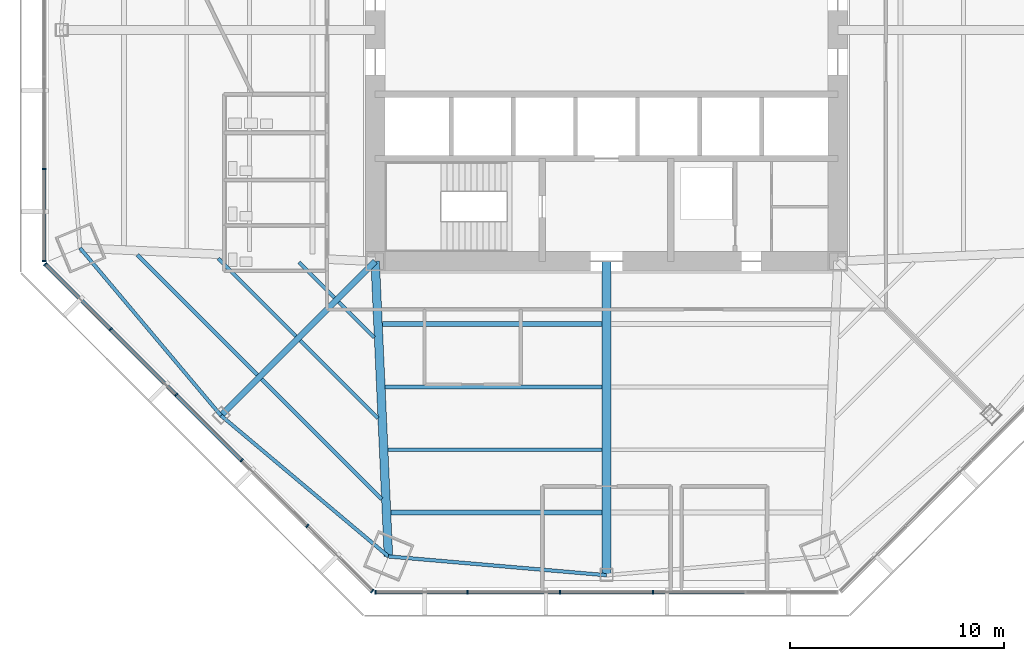
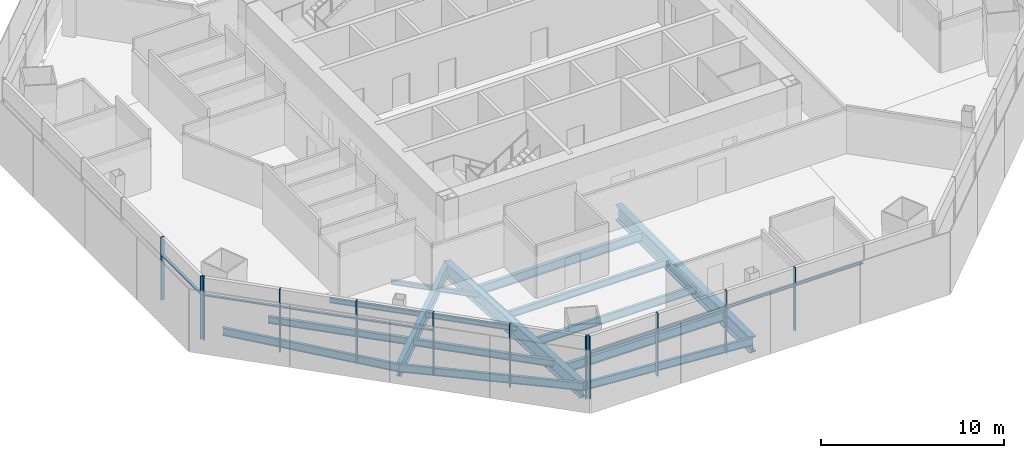
# One storey, part 2 of 15: 20 members, 16 beams, 3 elements without a shape of their own.
"""IFC4 building model written with IfcOpenShell, lengths in metres."""

from ifc_helpers import new_model, si_unit, direction, frame, origin, origin_2d, place, context, subcontext, project, spatial, rectangle, i_section, extrude, source, transform, mapped, material, material_profile, profile_set, type_object, type_shapes, element, aggregate, save


model = new_model("IFC4")

# Units and contexts
model_context = context("Model", 3, precision=1e-05, world=origin(), true_north=direction((0.0, 1.0)))
body_context = subcontext(model_context, "Body", "Model", "MODEL_VIEW")
ifc_project = project(units=[si_unit("LENGTHUNIT", "METRE"), si_unit("AREAUNIT", "SQUARE_METRE"), si_unit("VOLUMEUNIT", "CUBIC_METRE"), si_unit("PLANEANGLEUNIT", "RADIAN"), si_unit("MASSUNIT", "GRAM", prefix="KILO")], contexts=[model_context])

# Site, building, storey
site_placement = place(None, origin())
site = spatial("IfcSite", under=ifc_project, at=site_placement, CompositionType="ELEMENT")
building_placement = place(site_placement, origin())
building = spatial("IfcBuilding", under=site, at=building_placement, Name="Mashrafa Tower", CompositionType="ELEMENT")
storey_placement = place(building_placement, frame((0.0, 0.0, 62.39990234375)))
storey = spatial("IfcBuildingStorey", under=building, at=storey_placement, Name="L13", CompositionType="ELEMENT", Elevation=62.39990234375)

# Beams
ifc_material_1 = material(Name="Steel ASTM A992", Category="steel")
ifc_material_profile_1 = material_profile(ifc_material_1, i_section(OverallWidth=0.164794921875, OverallDepth=0.309814453125, WebThickness=0.005859375, FlangeThickness=0.009765625, FilletRadius=0.007568359375, at=origin_2d()), Name="W12X26")
ifc_profile_set_1 = profile_set([ifc_material_profile_1], Name="Steel ASTM A992")
beam_type_1 = type_object("IfcBeamType", Name="Beam W12X26", PredefinedType="BEAM", material=ifc_profile_set_1)
beam_1_placement = place(storey_placement, frame((-14.502685546875, -14.296142578125, -0.31982421875), z_axis=(-0.707106781187, 0.707106781187, 0.0), x_axis=(-0.707106781187, -0.707106781187, 0.0)))
element("IfcBeam", 1, at=beam_1_placement, inside=storey, type_object=beam_type_1, Name="Floor beam L13 012", PredefinedType="BEAM", context=body_context, shape_type="SweptSolid", body=[
    extrude(i_section(OverallWidth=0.164794921875, OverallDepth=0.309814453125, WebThickness=0.005859375, FlangeThickness=0.009765625, FilletRadius=0.007568359375, at=origin_2d()), origin(), (0.0, 0.0, 1.0), 5.126953125),
])
for number, where, z_axis, x_axis, name in (
    (2, (-12.702880859375, -12.496337890625, -0.31982421875), (-0.707158906562, 0.707054651968, 0.0), (-0.707054651968, -0.707158906562, 0.0), "Floor beam L13 016"),
    (3, (-10.840576171875, -14.35888671875, -0.31982421875), (-0.707054651968, 0.707158906562, 0.0), (-0.707158906562, -0.707054651968, 0.0), "Floor beam L13 019"),
):
    element("IfcBeam", number, at=place(storey_placement, frame(where, z_axis=z_axis, x_axis=x_axis)), inside=storey, type_object=beam_type_1, Name=name, PredefinedType="BEAM", context=body_context, shape_type="SweptSolid", body=[
        extrude(i_section(OverallWidth=0.164794921875, OverallDepth=0.309814453125, WebThickness=0.005859375, FlangeThickness=0.009765625, FilletRadius=0.007568359375, at=origin_2d()), origin(), (0.0, 0.0, 1.0), 2.341796875),
    ])
beam_2_placement = place(storey_placement, frame((-10.6708984375, -18.1279296875, -0.31982421875), z_axis=(-0.707106781187, 0.707106781187, 0.0), x_axis=(-0.707106781187, -0.707106781187, 0.0)))
element("IfcBeam", 4, at=beam_2_placement, inside=storey, type_object=beam_type_1, Name="Floor beam L13 021", PredefinedType="BEAM", context=body_context, shape_type="SweptSolid", body=[
    extrude(i_section(OverallWidth=0.164794921875, OverallDepth=0.309814453125, WebThickness=0.005859375, FlangeThickness=0.009765625, FilletRadius=0.007568359375, at=origin_2d()), origin(), (0.0, 0.0, 1.0), 5.126953125),
])
ifc_material_2 = material(Name="Steel ASTM A992", Category="steel")
ifc_material_profile_2 = material_profile(ifc_material_2, i_section(OverallWidth=0.191162109375, OverallDepth=0.459716796875, WebThickness=0.010009765625, FlangeThickness=0.01611328125, FilletRadius=0.01025390625, at=origin_2d()), Name="W18X55")
ifc_profile_set_2 = profile_set([ifc_material_profile_2], Name="Steel ASTM A992")
beam_type_2 = type_object("IfcBeamType", Name="Beam W18X55", PredefinedType="BEAM", material=ifc_profile_set_2)
for number, where, z_axis, x_axis, name in (
    (5, (-16.302490234375, -16.095703125, -0.394775390625), (-0.707106781187, 0.707106781187, 0.0), (-0.707106781187, -0.707106781187, 0.0), "Floor beam L13 009"),
    (6, (-10.501220703125, -21.89697265625, -0.394775390625), (-0.707106781187, 0.707106781187, 0.0), (-0.707106781187, -0.707106781187, 0.0), "Floor beam L13 023"),
):
    element("IfcBeam", number, at=place(storey_placement, frame(where, z_axis=z_axis, x_axis=x_axis)), inside=storey, type_object=beam_type_2, Name=name, PredefinedType="BEAM", context=body_context, shape_type="SweptSolid", body=[
        extrude(i_section(OverallWidth=0.191162109375, OverallDepth=0.459716796875, WebThickness=0.010009765625, FlangeThickness=0.01611328125, FilletRadius=0.01025390625, at=origin_2d()), origin(), (0.0, 0.0, 1.0), 7.911865234375),
    ])
beam_3_placement = place(storey_placement, frame((-0.20458984375, -16.66162109375, -0.394775390625), z_axis=(-1.0, 0.0, 0.0), x_axis=(0.0, -1.0, 0.0)))
element("IfcBeam", 7, at=beam_3_placement, inside=storey, type_object=beam_type_2, Name="Floor beam L13 027", PredefinedType="BEAM", context=body_context, shape_type="SweptSolid", body=[
    extrude(i_section(OverallWidth=0.191162109375, OverallDepth=0.459716796875, WebThickness=0.010009765625, FlangeThickness=0.01611328125, FilletRadius=0.01025390625, at=origin_2d()), origin(), (0.0, 0.0, 1.0), 10.130615234375),
])
ifc_material_3 = material(Name="Steel ASTM A992", Category="steel")
ifc_material_profile_3 = material_profile(ifc_material_3, i_section(OverallWidth=0.165771484375, OverallDepth=0.5283203125, WebThickness=0.009765625, FlangeThickness=0.013671875, FilletRadius=0.012939453125, at=origin_2d()), Name="W21X50")
ifc_profile_set_3 = profile_set([ifc_material_profile_3], Name="Steel ASTM A992")
beam_type_3 = type_object("IfcBeamType", Name="Beam W21X50", PredefinedType="BEAM", material=ifc_profile_set_3)
beam_4_placement = place(storey_placement, frame((-0.20458984375, -19.592529296875, -0.428955078125), z_axis=(-1.0, 0.0, 0.0), x_axis=(0.0, -1.0, 0.0)))
element("IfcBeam", 8, at=beam_4_placement, inside=storey, type_object=beam_type_3, Name="Floor beam L13 026", PredefinedType="BEAM", context=body_context, shape_type="SweptSolid", body=[
    extrude(i_section(OverallWidth=0.165771484375, OverallDepth=0.5283203125, WebThickness=0.009765625, FlangeThickness=0.013671875, FilletRadius=0.012939453125, at=origin_2d()), origin(), (0.0, 0.0, 1.0), 9.99853515625),
])
for number, where, z_axis, x_axis, name in (
    (9, (-24.575927734375, -10.1796875, -0.428955078125), (0.64371476628, -0.765265509267, 0.0), (0.765265509267, 0.64371476628, 0.0), "Spandrel beam L13 074"),
    (10, (-17.998779296875, -17.998779296875, -0.428955078125), (0.765265509267, -0.64371476628, 0.0), (0.64371476628, 0.765265509267, 0.0), "Spandrel beam L13 076"),
    (11, (-10.1796875, -24.575927734375, -0.428955078125), (0.996299620273, -0.085948046194, 0.0), (0.085948046194, 0.996299620273, 0.0), "Spandrel beam L13 078"),
):
    element("IfcBeam", number, at=place(storey_placement, frame(where, z_axis=z_axis, x_axis=x_axis)), inside=storey, type_object=beam_type_3, Name=name, PredefinedType="BEAM", context=body_context, shape_type="SweptSolid", body=[
        extrude(i_section(OverallWidth=0.165771484375, OverallDepth=0.5283203125, WebThickness=0.009765625, FlangeThickness=0.013671875, FilletRadius=0.012939453125, at=origin_2d()), origin(), (0.0, 0.0, 1.0), 10.217529296875),
    ])
ifc_material_4 = material(Name="Steel ASTM A992", Category="steel")
ifc_material_profile_4 = material_profile(ifc_material_4, i_section(OverallWidth=0.227783203125, OverallDepth=0.60205078125, WebThickness=0.010498046875, FlangeThickness=0.014892578125, FilletRadius=0.012939453125, at=origin_2d()), Name="W24X68")
ifc_profile_set_4 = profile_set([ifc_material_profile_4], Name="Steel ASTM A992")
beam_type_4 = type_object("IfcBeamType", Name="Beam W24X68", PredefinedType="BEAM", material=ifc_profile_set_4)
beam_5_placement = place(storey_placement, frame((-0.20458984375, -22.5234375, -0.4658203125), z_axis=(-1.0, 0.0, 0.0), x_axis=(0.0, -1.0, 0.0)))
element("IfcBeam", 12, at=beam_5_placement, inside=storey, type_object=beam_type_4, Name="Floor beam L13 025", PredefinedType="BEAM", context=body_context, shape_type="SweptSolid", body=[
    extrude(i_section(OverallWidth=0.227783203125, OverallDepth=0.60205078125, WebThickness=0.010498046875, FlangeThickness=0.014892578125, FilletRadius=0.012939453125, at=origin_2d()), origin(), (0.0, 0.0, 1.0), 9.86669921875),
])
beam_6_placement = place(storey_placement, frame((-0.20458984375, -13.730712890625, -0.4658203125), z_axis=(-1.0, 0.0, 0.0), x_axis=(0.0, -1.0, 0.0)))
element("IfcBeam", 13, at=beam_6_placement, inside=storey, type_object=beam_type_4, Name="Floor beam L13 028", PredefinedType="BEAM", context=body_context, shape_type="SweptSolid", body=[
    extrude(i_section(OverallWidth=0.227783203125, OverallDepth=0.60205078125, WebThickness=0.010498046875, FlangeThickness=0.014892578125, FilletRadius=0.012939453125, at=origin_2d()), origin(), (0.0, 0.0, 1.0), 10.262451171875),
])
ifc_material_5 = material(Name="Steel ASTM A992", Category="steel")
ifc_material_profile_5 = material_profile(ifc_material_5, i_section(OverallWidth=0.2919921875, OverallDepth=0.8583984375, WebThickness=0.01708984375, FlangeThickness=0.031005859375, FilletRadius=0.017822265625, at=origin_2d()), Name="W33X169")
ifc_profile_set_5 = profile_set([ifc_material_profile_5], Name="Steel ASTM A992")
beam_type_5 = type_object("IfcBeamType", Name="Beam W33X169", PredefinedType="BEAM", material=ifc_profile_set_5)
beam_7_placement = place(storey_placement, frame((-10.800048828125, -10.800048828125, -0.59423828125), z_axis=(-0.707106781187, -0.707106781187, 0.0), x_axis=(0.707106781187, -0.707106781187, 0.0)))
element("IfcBeam", 14, at=beam_7_placement, inside=storey, type_object=beam_type_5, Name="Radial girder L13 058", PredefinedType="BEAM", context=body_context, shape_type="SweptSolid", body=[
    extrude(i_section(OverallWidth=0.2919921875, OverallDepth=0.8583984375, WebThickness=0.01708984375, FlangeThickness=0.031005859375, FilletRadius=0.017822265625, at=origin_2d()), origin(), (0.0, 0.0, 1.0), 10.1806640625),
])
ifc_material_6 = material(Name="Steel ASTM A992", Category="steel")
ifc_material_profile_6 = material_profile(ifc_material_6, i_section(OverallWidth=0.4013671875, OverallDepth=1.010986328125, WebThickness=0.023681640625, FlangeThickness=0.0419921875, FilletRadius=0.02001953125, at=origin_2d()), Name="W40X297")
ifc_profile_set_6 = profile_set([ifc_material_profile_6], Name="Steel ASTM A992")
beam_type_6 = type_object("IfcBeamType", Name="Beam W40X297", PredefinedType="BEAM", material=ifc_profile_set_6)
beam_8_placement = place(storey_placement, frame((-10.800048828125, -10.800048828125, -0.67041015625), z_axis=(0.044986840105, -0.998987579611, 0.0), x_axis=(0.998987579611, 0.044986840105, 0.0)))
element("IfcBeam", 15, at=beam_8_placement, inside=storey, type_object=beam_type_6, Name="Radial girder L13 059", PredefinedType="BEAM", context=body_context, shape_type="SweptSolid", body=[
    extrude(i_section(OverallWidth=0.4013671875, OverallDepth=1.010986328125, WebThickness=0.023681640625, FlangeThickness=0.0419921875, FilletRadius=0.02001953125, at=origin_2d()), origin(), (0.0, 0.0, 1.0), 13.789794921875),
])
ifc_material_7 = material(Name="Steel ASTM A992", Category="steel")
ifc_material_profile_7 = material_profile(ifc_material_7, i_section(OverallWidth=0.408935546875, OverallDepth=1.04150390625, WebThickness=0.031005859375, FlangeThickness=0.055908203125, FilletRadius=0.020263671875, at=origin_2d()), Name="W40X397")
ifc_profile_set_7 = profile_set([ifc_material_profile_7], Name="Steel ASTM A992")
beam_type_7 = type_object("IfcBeamType", Name="Beam W40X397", PredefinedType="BEAM", material=ifc_profile_set_7)
beam_9_placement = place(storey_placement, frame((0.0, -10.800048828125, -0.685546875), z_axis=(0.0, -1.0, 0.0), x_axis=(1.0, 0.0, 0.0)))
element("IfcBeam", 16, at=beam_9_placement, inside=storey, type_object=beam_type_7, Name="Radial girder L13 064", PredefinedType="BEAM", context=body_context, shape_type="SweptSolid", body=[
    extrude(i_section(OverallWidth=0.408935546875, OverallDepth=1.04150390625, WebThickness=0.031005859375, FlangeThickness=0.055908203125, FilletRadius=0.020263671875, at=origin_2d()), origin(), (0.0, 0.0, 1.0), 14.654052734375),
])

# Curtain wall, members
ifc_material_8 = material(Name="Unitised aluminium curtain wall", Category="aluminium")
curtain_wall_type = type_object("IfcCurtainWallType", Name="Office curtain wall, zone 1 CW-A 200 deep", PredefinedType="NOTDEFINED", material=ifc_material_8)
curtain_wall_1_placement = place(storey_placement, origin())
curtain_wall_1 = element("IfcCurtainWall", 17, at=curtain_wall_1_placement, inside=storey, type_object=curtain_wall_type, Name="Office curtain wall, zone 1 L13 west", PredefinedType="NOTDEFINED")
ifc_material_9 = material(Name="Extruded aluminium mullion", Category="aluminium")
ifc_material_profile_8 = material_profile(ifc_material_9, rectangle(XDim=0.199951171875, YDim=0.06494140625, at=origin_2d()), Name="Mullion 65x200")
ifc_profile_set_8 = profile_set([ifc_material_profile_8], Name="Extruded aluminium mullion")
member_type_1 = type_object("IfcMemberType", Name="Mullion CW-A 65 x 200", PredefinedType="MULLION", material=ifc_profile_set_8)
shared_shape_1 = source(origin(), body_context, "Body", "SweptSolid", [
    extrude(rectangle(XDim=0.199951171875, YDim=0.06494140625, at=origin_2d()), origin(), (0.0, 0.0, 1.0), 4.2001953125),
])
type_shapes(member_type_1, [shared_shape_1])
member_1_placement = place(storey_placement, frame((-26.24951171875, -6.492919921875, 0.0), z_axis=(0.0, 0.0, 1.0), x_axis=(1.0, 0.0, 0.0)))
member_1 = element("IfcMember", 18, at=member_1_placement, type_object=member_type_1, Name="CW-A mullion 5", PredefinedType="MULLION", context=body_context, shape_type="MappedRepresentation", body=[
    mapped(shared_shape_1, transform((0.0, 0.0, 0.0))),
])
member_2_placement = place(storey_placement, frame((-26.24951171875, -10.7890625, 0.0), z_axis=(0.0, 0.0, 1.0), x_axis=(1.0, 0.0, 0.0)))
member_2 = element("IfcMember", 19, at=member_2_placement, type_object=member_type_1, Name="CW-A mullion 6", PredefinedType="MULLION", context=body_context, shape_type="MappedRepresentation", body=[
    mapped(shared_shape_1, transform((0.0, 0.0, 0.0))),
])

curtain_wall_2_placement = place(storey_placement, origin())
curtain_wall_2 = element("IfcCurtainWall", 20, at=curtain_wall_2_placement, inside=storey, type_object=curtain_wall_type, Name="Office curtain wall, zone 1 L13 south-west", PredefinedType="NOTDEFINED")
member_3_placement = place(storey_placement, frame((-26.190185546875, -10.93212890625, 0.0), z_axis=(0.0, 0.0, 1.0), x_axis=(0.707106781187, 0.707106781187, 0.0)))
member_3 = element("IfcMember", 21, at=member_3_placement, type_object=member_type_1, Name="CW-A mullion 1", PredefinedType="MULLION", context=body_context, shape_type="MappedRepresentation", body=[
    mapped(shared_shape_1, transform((0.0, 0.0, 0.0))),
])
member_4_placement = place(storey_placement, frame((-23.15234375, -13.969970703125, 0.0), z_axis=(0.0, 0.0, 1.0), x_axis=(0.707106781187, 0.707106781187, 0.0)))
member_4 = element("IfcMember", 22, at=member_4_placement, type_object=member_type_1, Name="CW-A mullion 2", PredefinedType="MULLION", context=body_context, shape_type="MappedRepresentation", body=[
    mapped(shared_shape_1, transform((0.0, 0.0, 0.0))),
])
member_5_placement = place(storey_placement, frame((-20.091552734375, -17.03076171875, 0.0), z_axis=(0.0, 0.0, 1.0), x_axis=(0.707106781187, 0.707106781187, 0.0)))
member_5 = element("IfcMember", 23, at=member_5_placement, type_object=member_type_1, Name="CW-A mullion 3", PredefinedType="MULLION", context=body_context, shape_type="MappedRepresentation", body=[
    mapped(shared_shape_1, transform((0.0, 0.0, 0.0))),
])
member_6_placement = place(storey_placement, frame((-17.03076171875, -20.091552734375, 0.0), z_axis=(0.0, 0.0, 1.0), x_axis=(0.707106781187, 0.707106781187, 0.0)))
member_6 = element("IfcMember", 24, at=member_6_placement, type_object=member_type_1, Name="CW-A mullion 4", PredefinedType="MULLION", context=body_context, shape_type="MappedRepresentation", body=[
    mapped(shared_shape_1, transform((0.0, 0.0, 0.0))),
])
member_7_placement = place(storey_placement, frame((-13.969970703125, -23.15234375, 0.0), z_axis=(0.0, 0.0, 1.0), x_axis=(0.707106781187, 0.707106781187, 0.0)))
member_7 = element("IfcMember", 25, at=member_7_placement, type_object=member_type_1, Name="CW-A mullion 5", PredefinedType="MULLION", context=body_context, shape_type="MappedRepresentation", body=[
    mapped(shared_shape_1, transform((0.0, 0.0, 0.0))),
])
member_8_placement = place(storey_placement, frame((-10.93212890625, -26.190185546875, 0.0), z_axis=(0.0, 0.0, 1.0), x_axis=(0.707106781187, 0.707106781187, 0.0)))
member_8 = element("IfcMember", 26, at=member_8_placement, type_object=member_type_1, Name="CW-A mullion 6", PredefinedType="MULLION", context=body_context, shape_type="MappedRepresentation", body=[
    mapped(shared_shape_1, transform((0.0, 0.0, 0.0))),
])

curtain_wall_3_placement = place(storey_placement, origin())
curtain_wall_3 = element("IfcCurtainWall", 27, at=curtain_wall_3_placement, inside=storey, type_object=curtain_wall_type, Name="Office curtain wall, zone 1 L13 south", PredefinedType="NOTDEFINED")
member_9_placement = place(storey_placement, frame((-10.7890625, -26.24951171875, 0.0), z_axis=(0.0, 0.0, 1.0), x_axis=(0.0, 1.0, 0.0)))
member_9 = element("IfcMember", 28, at=member_9_placement, type_object=member_type_1, Name="CW-A mullion 1", PredefinedType="MULLION", context=body_context, shape_type="MappedRepresentation", body=[
    mapped(shared_shape_1, transform((0.0, 0.0, 0.0))),
])
member_10_placement = place(storey_placement, frame((-6.492919921875, -26.24951171875, 0.0), z_axis=(0.0, 0.0, 1.0), x_axis=(0.0, 1.0, 0.0)))
member_10 = element("IfcMember", 29, at=member_10_placement, type_object=member_type_1, Name="CW-A mullion 2", PredefinedType="MULLION", context=body_context, shape_type="MappedRepresentation", body=[
    mapped(shared_shape_1, transform((0.0, 0.0, 0.0))),
])
member_11_placement = place(storey_placement, frame((-2.164306640625, -26.24951171875, 0.0), z_axis=(0.0, 0.0, 1.0), x_axis=(0.0, 1.0, 0.0)))
member_11 = element("IfcMember", 30, at=member_11_placement, type_object=member_type_1, Name="CW-A mullion 3", PredefinedType="MULLION", context=body_context, shape_type="MappedRepresentation", body=[
    mapped(shared_shape_1, transform((0.0, 0.0, 0.0))),
])
member_12_placement = place(storey_placement, frame((2.164306640625, -26.24951171875, 0.0), z_axis=(0.0, 0.0, 1.0), x_axis=(0.0, 1.0, 0.0)))
member_12 = element("IfcMember", 31, at=member_12_placement, type_object=member_type_1, Name="CW-A mullion 4", PredefinedType="MULLION", context=body_context, shape_type="MappedRepresentation", body=[
    mapped(shared_shape_1, transform((0.0, 0.0, 0.0))),
])

# Member
ifc_material_10 = material(Name="Extruded aluminium transom", Category="aluminium")
ifc_material_profile_9 = material_profile(ifc_material_10, rectangle(XDim=0.159912109375, YDim=0.080078125, at=origin_2d()), Name="Transom 80x160")
ifc_profile_set_9 = profile_set([ifc_material_profile_9], Name="Extruded aluminium transom")
member_type_2 = type_object("IfcMemberType", Name="Transom CW-A 80 x 160", PredefinedType="MULLION", material=ifc_profile_set_9)
shared_shape_2 = source(origin(), body_context, "Body", "SweptSolid", [
    extrude(rectangle(XDim=0.159912109375, YDim=0.080078125, at=origin_2d()), origin(), (0.0, 0.0, 1.0), 4.231201171875),
])
member_13_placement = place(storey_placement, frame((-26.24951171875, -6.525390625, 3.0), z_axis=(0.0, -1.0, 0.0), x_axis=(1.0, 0.0, 0.0)))
member_13 = element("IfcMember", 32, at=member_13_placement, type_object=member_type_2, Name="CW-A transom 5", PredefinedType="MULLION", context=body_context, shape_type="MappedRepresentation", body=[
    mapped(shared_shape_2, transform((0.0, 0.0, 0.0))),
])

aggregate(curtain_wall_1, [member_1, member_2, member_13])

member_14_placement = place(storey_placement, frame((-10.756591796875, -26.24951171875, 3.0), z_axis=(1.0, 0.0, 0.0), x_axis=(0.0, 1.0, 0.0)))
member_14 = element("IfcMember", 33, at=member_14_placement, type_object=member_type_2, Name="CW-A transom 1", PredefinedType="MULLION", context=body_context, shape_type="MappedRepresentation", body=[
    mapped(shared_shape_2, transform((0.0, 0.0, 0.0))),
])

shared_shape_3 = source(origin(), body_context, "Body", "SweptSolid", [
    extrude(rectangle(XDim=0.159912109375, YDim=0.080078125, at=origin_2d()), origin(), (0.0, 0.0, 1.0), 4.263671875),
])
member_15_placement = place(storey_placement, frame((-23.12939453125, -13.992919921875, 3.0), z_axis=(0.707106781187, -0.707106781187, 0.0), x_axis=(0.707106781187, 0.707106781187, 0.0)))
member_15 = element("IfcMember", 34, at=member_15_placement, type_object=member_type_2, Name="CW-A transom 2", PredefinedType="MULLION", context=body_context, shape_type="MappedRepresentation", body=[
    mapped(shared_shape_3, transform((0.0, 0.0, 0.0))),
])

member_16_placement = place(storey_placement, frame((-20.068603515625, -17.0537109375, 3.0), z_axis=(0.707106781187, -0.707106781187, 0.0), x_axis=(0.707106781187, 0.707106781187, 0.0)))
member_16 = element("IfcMember", 35, at=member_16_placement, type_object=member_type_2, Name="CW-A transom 3", PredefinedType="MULLION", context=body_context, shape_type="MappedRepresentation", body=[
    mapped(shared_shape_3, transform((0.0, 0.0, 0.0))),
])

member_17_placement = place(storey_placement, frame((-6.46044921875, -26.24951171875, 3.0), z_axis=(1.0, 0.0, 0.0), x_axis=(0.0, 1.0, 0.0)))
member_17 = element("IfcMember", 36, at=member_17_placement, type_object=member_type_2, Name="CW-A transom 2", PredefinedType="MULLION", context=body_context, shape_type="MappedRepresentation", body=[
    mapped(shared_shape_3, transform((0.0, 0.0, 0.0))),
])

member_18_placement = place(storey_placement, frame((-2.1318359375, -26.24951171875, 3.0), z_axis=(1.0, 0.0, 0.0), x_axis=(0.0, 1.0, 0.0)))
member_18 = element("IfcMember", 37, at=member_18_placement, type_object=member_type_2, Name="CW-A transom 3", PredefinedType="MULLION", context=body_context, shape_type="MappedRepresentation", body=[
    mapped(shared_shape_3, transform((0.0, 0.0, 0.0))),
])

member_19_placement = place(storey_placement, frame((2.19677734375, -26.24951171875, 3.0), z_axis=(1.0, 0.0, 0.0), x_axis=(0.0, 1.0, 0.0)))
member_19 = element("IfcMember", 38, at=member_19_placement, type_object=member_type_2, Name="CW-A transom 4", PredefinedType="MULLION", context=body_context, shape_type="MappedRepresentation", body=[
    mapped(shared_shape_3, transform((0.0, 0.0, 0.0))),
])

aggregate(curtain_wall_3, [member_9, member_10, member_11, member_12, member_14, member_17, member_18, member_19])

shared_shape_4 = source(origin(), body_context, "Body", "SweptSolid", [
    extrude(rectangle(XDim=0.159912109375, YDim=0.080078125, at=origin_2d()), origin(), (0.0, 0.0, 1.0), 4.23095703125),
])
type_shapes(member_type_2, [shared_shape_2, shared_shape_3, shared_shape_4])
member_20_placement = place(storey_placement, frame((-26.167236328125, -10.955322265625, 3.0), z_axis=(0.707135631501, -0.707077929695, 0.0), x_axis=(0.707077929695, 0.707135631501, 0.0)))
member_20 = element("IfcMember", 39, at=member_20_placement, type_object=member_type_2, Name="CW-A transom 1", PredefinedType="MULLION", context=body_context, shape_type="MappedRepresentation", body=[
    mapped(shared_shape_4, transform((0.0, 0.0, 0.0))),
])

aggregate(curtain_wall_2, [member_3, member_4, member_5, member_6, member_7, member_8, member_20, member_15, member_16])

save(model, "model.ifc")
